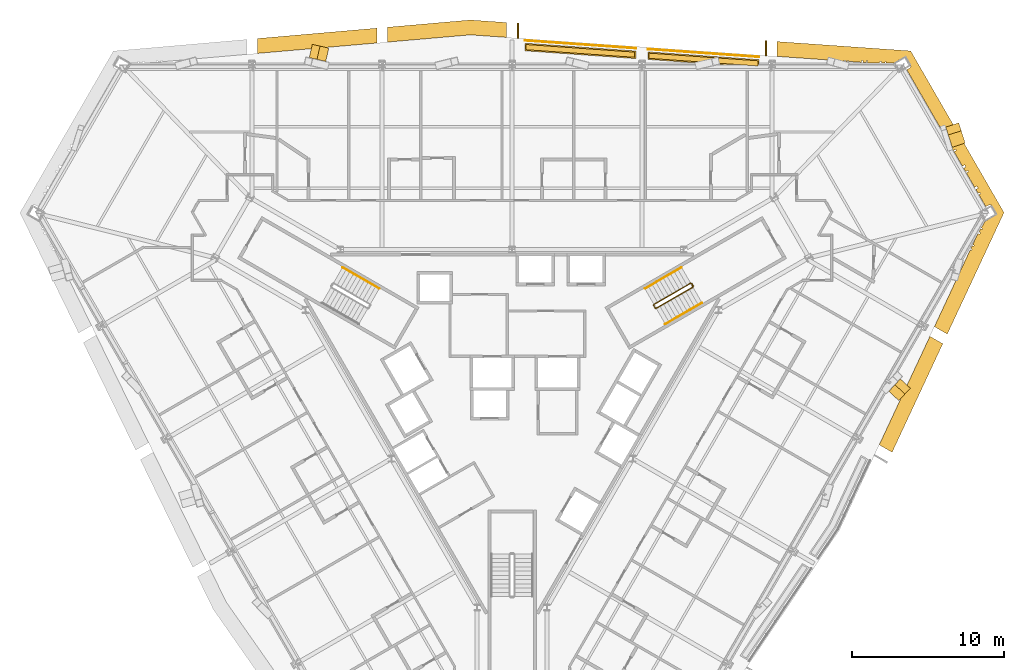
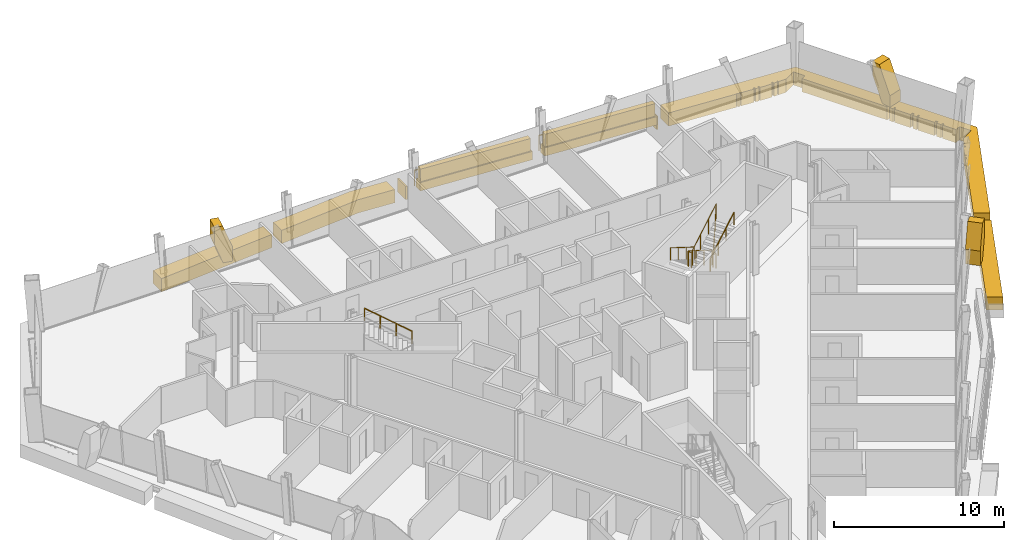
# One storey, part 15 of 15: 13 coverings, 6 railings.
"""IFC4 building model written with IfcOpenShell, lengths in metres."""

from ifc_helpers import new_model, si_unit, direction, frame, origin, origin_2d, place, context, subcontext, project, spatial, polyline, circle, outline, extrude, material, layer, layer_set, type_object, element, save


model = new_model("IFC4")

# Units and contexts
model_context = context("Model", 3, precision=1e-05, world=origin(), true_north=direction((0.0, 1.0)))
body_context = subcontext(model_context, "Body", "Model", "MODEL_VIEW")
ifc_project = project(units=[si_unit("LENGTHUNIT", "METRE"), si_unit("AREAUNIT", "SQUARE_METRE"), si_unit("VOLUMEUNIT", "CUBIC_METRE"), si_unit("PLANEANGLEUNIT", "RADIAN"), si_unit("MASSUNIT", "GRAM", prefix="KILO")], contexts=[model_context])

# Site, building, storey
site_placement = place(None, origin())
site = spatial("IfcSite", under=ifc_project, at=site_placement, CompositionType="ELEMENT")
building_placement = place(site_placement, origin())
building = spatial("IfcBuilding", under=site, at=building_placement, Name="Verrane Prism Tower", CompositionType="ELEMENT")
storey_placement = place(building_placement, frame((0.0, 0.0, 72.800048828125)))
storey = spatial("IfcBuildingStorey", under=building, at=storey_placement, Name="L16", CompositionType="ELEMENT", Elevation=72.800048828125)

# Coverings
ifc_material_1 = material(Name="Planting medium in stone kerb", Category="masonry")
covering_type_1 = type_object("IfcCoveringType", Name="Planter bed 600", PredefinedType="USERDEFINED", material=ifc_material_1)
covering_1_placement = place(storey_placement, origin())
element("IfcCovering", 1, at=covering_1_placement, inside=storey, type_object=covering_type_1, Name="Loggia planter N2 L16", ObjectType="PLANTER", PredefinedType="USERDEFINED", context=body_context, shape_type="SweptSolid", body=[
    extrude(outline(polyline([(16.2978515625, 21.732177734375), (8.97412109375, 22.246826171875), (8.97412109375, 21.746826171875), (16.2978515625, 21.232177734375), (16.2978515625, 21.732177734375)])), origin(), (0.0, 0.0, 1.0), 0.599853515625),
])
covering_2_placement = place(storey_placement, origin())
element("IfcCovering", 2, at=covering_2_placement, inside=storey, type_object=covering_type_1, Name="Loggia planter N3 L16", ObjectType="PLANTER", PredefinedType="USERDEFINED", context=body_context, shape_type="SweptSolid", body=[
    extrude(outline(polyline([(8.174072265625, 22.302978515625), (0.85009765625, 22.817626953125), (0.85009765625, 22.317626953125), (8.174072265625, 21.802978515625), (8.174072265625, 22.302978515625)])), origin(), (0.0, 0.0, 1.0), 0.599853515625),
])
ifc_material_2 = material(Name="Planted shrubs and grasses", Category="other")
covering_type_2 = type_object("IfcCoveringType", Name="Planting mass 1000", PredefinedType="USERDEFINED", material=ifc_material_2)
covering_3_placement = place(storey_placement, frame((0.0, 0.0, 0.599853515625)))
element("IfcCovering", 3, at=covering_3_placement, inside=storey, type_object=covering_type_2, Name="Loggia planting N2 L16", ObjectType="PLANTING", PredefinedType="USERDEFINED", context=body_context, shape_type="SweptSolid", body=[
    extrude(outline(polyline([(9.053955078125, 22.160888671875), (9.053955078125, 21.8212890625), (16.218017578125, 21.318115234375), (16.218017578125, 21.65771484375), (9.053955078125, 22.160888671875)])), origin(), (0.0, 0.0, 1.0), 0.900146484375),
])
covering_4_placement = place(storey_placement, frame((0.0, 0.0, 0.599853515625)))
element("IfcCovering", 4, at=covering_4_placement, inside=storey, type_object=covering_type_2, Name="Loggia planting N3 L16", ObjectType="PLANTING", PredefinedType="USERDEFINED", context=body_context, shape_type="SweptSolid", body=[
    extrude(outline(polyline([(0.929931640625, 22.731689453125), (0.929931640625, 22.39208984375), (8.093994140625, 21.888916015625), (8.093994140625, 22.228515625), (0.929931640625, 22.731689453125)])), origin(), (0.0, 0.0, 1.0), 0.900146484375),
])

# Railings
ifc_material_3 = material(Name="Steel A36 rail and posts, no infill", Category="steel")
railing_type_1 = type_object("IfcRailingType", Name="Stair guard 1100 steel rail and posts", PredefinedType="GUARDRAIL", material=ifc_material_3)
railing_1_placement = place(storey_placement, frame((11.78955078125, 6.97998046875, 0.16357421875)))
element("IfcRailing", 5, at=railing_1_placement, inside=storey, type_object=railing_type_1, Name="Stair 1 guard", PredefinedType="GUARDRAIL", context=body_context, shape_type="SweptSolid", body=[
    extrude(circle(Radius=0.02392578125, at=origin_2d()), frame((0.0, 0.0, 1.076171875), z_axis=(-0.747665513933, -0.431721881032, 0.504591415616), x_axis=(0.500049511043, -0.865996816683, 0.0)), (0.0, 0.0, 1.0), 3.2431640625),
    extrude(circle(Radius=0.02392578125, at=origin_2d()), frame((-2.4248046875, -1.400146484375, 2.71240234375), z_axis=(-0.259601060869, -0.965715946433, 0.0), x_axis=(0.965715946433, -0.259601060869, 0.0)), (0.0, 0.0, 1.0), 0.070556640625),
    extrude(circle(Radius=0.02392578125, at=origin_2d()), frame((-2.443115234375, -1.46826171875, 2.71240234375), z_axis=(0.499158860599, -0.866510491504, 0.0), x_axis=(0.866510491504, 0.499158860599, 0.0)), (0.0, 0.0, 1.0), 0.199951171875),
    extrude(circle(Radius=0.02392578125, at=origin_2d()), frame((-2.34326171875, -1.6416015625, 2.71240234375), z_axis=(0.383552647116, -0.102737316192, 0.917786691313), x_axis=(0.258736085224, 0.965948051503, 0.0)), (0.0, 0.0, 1.0), 0.17822265625),
    extrude(circle(Radius=0.02392578125, at=origin_2d()), frame((-2.27490234375, -1.659912109375, 2.8759765625), z_axis=(0.747693913401, 0.431738279637, 0.504535300807), x_axis=(-0.500049511043, 0.865996816683, 0.0)), (0.0, 0.0, 1.0), 3.2431640625),
    extrude(circle(Radius=0.02392578125, at=origin_2d()), frame((0.14990234375, -0.259765625, 4.51220703125), z_axis=(-0.022595193939, 0.066906128161, -0.9975033971), x_axis=(-0.947430582667, -0.3199613899, 0.0)), (0.0, 0.0, 1.0), 3.60888671875),
    extrude(circle(Radius=0.02392578125, at=origin_2d()), frame((0.068359375, -0.018310546875, 0.91259765625), z_axis=(0.499158860599, -0.866510491504, 0.0), x_axis=(0.866510491504, 0.499158860599, 0.0)), (0.0, 0.0, 1.0), 0.199951171875),
    extrude(circle(Radius=0.02099609375, at=origin_2d()), origin(), (0.0, 0.0, 1.0), 1.052001953125),
    extrude(circle(Radius=0.02099609375, at=origin_2d()), frame((-0.808349609375, -0.466796875, 0.54541015625)), (0.0, 0.0, 1.0), 1.052001953125),
    extrude(circle(Radius=0.02099609375, at=origin_2d()), frame((-1.616455078125, -0.933349609375, 1.091064453125)), (0.0, 0.0, 1.0), 1.052001953125),
    extrude(circle(Radius=0.02099609375, at=origin_2d()), frame((-2.4248046875, -1.400146484375, 1.636474609375)), (0.0, 0.0, 1.0), 1.052001953125),
    extrude(circle(Radius=0.02099609375, at=origin_2d()), frame((-2.443115234375, -1.46826171875, 1.636474609375)), (0.0, 0.0, 1.0), 1.052001953125),
    extrude(circle(Radius=0.02099609375, at=origin_2d()), frame((-2.34326171875, -1.6416015625, 1.636474609375)), (0.0, 0.0, 1.0), 1.052001953125),
    extrude(circle(Radius=0.02099609375, at=origin_2d()), frame((-2.27490234375, -1.659912109375, 1.800048828125)), (0.0, 0.0, 1.0), 1.052001953125),
    extrude(circle(Radius=0.02099609375, at=origin_2d()), frame((-1.466552734375, -1.193115234375, 2.345458984375)), (0.0, 0.0, 1.0), 1.052001953125),
    extrude(circle(Radius=0.02099609375, at=origin_2d()), frame((-0.658447265625, -0.7265625, 2.890869140625)), (0.0, 0.0, 1.0), 1.052001953125),
    extrude(circle(Radius=0.02099609375, at=origin_2d()), frame((0.14990234375, -0.259765625, 3.436279296875)), (0.0, 0.0, 1.0), 1.052001953125),
    extrude(circle(Radius=0.02099609375, at=origin_2d()), frame((0.12939453125, -0.199462890625, 2.536376953125)), (0.0, 0.0, 1.0), 1.052001953125),
    extrude(circle(Radius=0.02099609375, at=origin_2d()), frame((0.109130859375, -0.13916015625, 1.63623046875)), (0.0, 0.0, 1.0), 1.052001953125),
    extrude(circle(Radius=0.02099609375, at=origin_2d()), frame((0.0888671875, -0.07861328125, 0.736328125)), (0.0, 0.0, 1.0), 1.052001953125),
    extrude(circle(Radius=0.02099609375, at=origin_2d()), frame((0.068359375, -0.018310546875, -0.16357421875)), (0.0, 0.0, 1.0), 1.052001953125),
    extrude(circle(Radius=0.02099609375, at=origin_2d()), frame((0.168212890625, -0.191650390625, -0.16357421875)), (0.0, 0.0, 1.0), 1.052001953125),
])
ifc_material_4 = material(Name="Steel A36 tube", Category="steel")
railing_type_2 = type_object("IfcRailingType", Name="Stair handrail 900 steel tube", PredefinedType="HANDRAIL", material=ifc_material_4)
railing_2_placement = place(storey_placement, frame((11.189453125, 8.01904296875, 0.16357421875)))
element("IfcRailing", 6, at=railing_2_placement, inside=storey, type_object=railing_type_2, Name="Stair 1 handrail", PredefinedType="HANDRAIL", context=body_context, shape_type="SweptSolid", body=[
    extrude(circle(Radius=0.02392578125, at=origin_2d()), frame((0.0, 0.0, 0.8759765625), z_axis=(-0.747689811644, -0.431660630283, 0.504607813879), x_axis=(0.49998411664, -0.866034573852, 0.0)), (0.0, 0.0, 1.0), 3.2431640625),
    extrude(circle(Radius=0.02099609375, at=origin_2d()), origin(), (0.0, 0.0, 1.0), 0.851806640625),
    extrude(circle(Radius=0.02099609375, at=origin_2d()), frame((-0.808349609375, -0.466552734375, 0.54541015625)), (0.0, 0.0, 1.0), 0.851806640625),
    extrude(circle(Radius=0.02099609375, at=origin_2d()), frame((-1.616455078125, -0.933349609375, 1.091064453125)), (0.0, 0.0, 1.0), 0.851806640625),
    extrude(circle(Radius=0.02099609375, at=origin_2d()), frame((-2.4248046875, -1.39990234375, 1.636474609375)), (0.0, 0.0, 1.0), 0.851806640625),
])
railing_3_placement = place(storey_placement, frame((10.11474609375, 4.28076171875, 1.963623046875)))
element("IfcRailing", 7, at=railing_3_placement, inside=storey, type_object=railing_type_2, Name="Stair 1 handrail", PredefinedType="HANDRAIL", context=body_context, shape_type="SweptSolid", body=[
    extrude(circle(Radius=0.02392578125, at=origin_2d()), frame((0.0, 0.0, 0.8759765625), z_axis=(0.747693913401, 0.431738279637, 0.504535300807), x_axis=(-0.500049511043, 0.865996816683, 0.0)), (0.0, 0.0, 1.0), 3.2431640625),
    extrude(circle(Radius=0.02099609375, at=origin_2d()), origin(), (0.0, 0.0, 1.0), 0.851806640625),
    extrude(circle(Radius=0.02099609375, at=origin_2d()), frame((0.808349609375, 0.466796875, 0.54541015625)), (0.0, 0.0, 1.0), 0.851806640625),
    extrude(circle(Radius=0.02099609375, at=origin_2d()), frame((1.616455078125, 0.933349609375, 1.0908203125)), (0.0, 0.0, 1.0), 0.851806640625),
    extrude(circle(Radius=0.02099609375, at=origin_2d()), frame((2.4248046875, 1.400146484375, 1.63623046875)), (0.0, 0.0, 1.0), 0.851806640625),
])
railing_4_placement = place(storey_placement, frame((-8.7646484375, 6.619140625, 1.963623046875)))
element("IfcRailing", 8, at=railing_4_placement, inside=storey, type_object=railing_type_2, Name="Stair 2 handrail", PredefinedType="HANDRAIL", context=body_context, shape_type="SweptSolid", body=[
    extrude(circle(Radius=0.02392578125, at=origin_2d()), frame((0.0, 0.0, 0.8759765625), z_axis=(-0.74771821388, 0.431677027627, 0.504551698492), x_axis=(-0.49998411664, -0.866034573852, 0.0)), (0.0, 0.0, 1.0), 3.242919921875),
    extrude(circle(Radius=0.02099609375, at=origin_2d()), origin(), (0.0, 0.0, 1.0), 0.851806640625),
    extrude(circle(Radius=0.02099609375, at=origin_2d()), frame((-0.808349609375, 0.466552734375, 0.54541015625)), (0.0, 0.0, 1.0), 0.851806640625),
    extrude(circle(Radius=0.02099609375, at=origin_2d()), frame((-1.616455078125, 0.933349609375, 1.0908203125)), (0.0, 0.0, 1.0), 0.851806640625),
    extrude(circle(Radius=0.02099609375, at=origin_2d()), frame((-2.4248046875, 1.39990234375, 1.63623046875)), (0.0, 0.0, 1.0), 0.851806640625),
])

# Coverings
ifc_material_5 = material(Name="Warm limestone cladding", Category="masonry")
ifc_layer_1 = layer(ifc_material_5, 0.89990234375)
ifc_layer_set_1 = layer_set([ifc_layer_1], Name="Stone brace fin 900")
covering_type_3 = type_object("IfcCoveringType", Name="Stone brace fin 900", PredefinedType="CLADDING", material=ifc_layer_set_1)
covering_5_placement = place(storey_placement, frame((-12.1962890625, 22.05615234375, 0.0), z_axis=(0.0, 0.0, 1.0), x_axis=(-0.974641769494, 0.223770912223, 0.0)))
element("IfcCovering", 9, at=covering_5_placement, inside=storey, type_object=covering_type_3, Name="Stone brace fin N5 L16", PredefinedType="CLADDING", context=body_context, shape_type="SweptSolid", body=[
    extrude(outline(polyline([(1.114013671875, 2.64990234375), (0.59130859375, 2.64990234375), (0.0, 1.05322265625), (0.0, 0.0), (0.569580078125, 0.0), (1.114013671875, 1.4697265625), (1.114013671875, 2.64990234375)])), frame((0.0, 0.449951171875, 0.0), z_axis=(0.0, -1.0, 0.0), x_axis=(1.0, 0.0, 0.0)), (0.0, 0.0, 1.0), 0.89990234375),
])
covering_6_placement = place(storey_placement, frame((25.197265625, -0.462890625, 0.0), z_axis=(0.0, 0.0, 1.0), x_axis=(0.681616490164, 0.731709614763, 0.0)))
element("IfcCovering", 10, at=covering_6_placement, inside=storey, type_object=covering_type_3, Name="Stone brace fin SE5 L16", PredefinedType="CLADDING", context=body_context, shape_type="SweptSolid", body=[
    extrude(outline(polyline([(1.1162109375, 2.64990234375), (0.593505859375, 2.64990234375), (0.0, 1.05078125), (0.0, 0.0), (0.570068359375, 0.0), (1.1162109375, 1.47216796875), (1.1162109375, 2.64990234375)])), frame((0.0, 0.449951171875, 0.0), z_axis=(0.0, -1.0, 0.0), x_axis=(1.0, 0.0, 0.0)), (0.0, 0.0, 1.0), 0.89990234375),
])
covering_7_placement = place(storey_placement, frame((29.47900390625, 16.0888671875, 0.0), z_axis=(0.0, 0.0, 1.0), x_axis=(-0.30231735875, 0.953207330332, 0.0)))
element("IfcCovering", 11, at=covering_7_placement, inside=storey, type_object=covering_type_3, Name="Stone brace fin NE1 L16", PredefinedType="CLADDING", context=body_context, shape_type="SweptSolid", body=[
    extrude(outline(polyline([(1.39892578125, 2.64990234375), (0.85205078125, 2.64990234375), (0.0, 0.820556640625), (0.0, 0.0), (0.610595703125, 0.0), (1.39892578125, 1.692138671875), (1.39892578125, 2.64990234375)])), frame((0.0, 0.449951171875, 0.0), z_axis=(0.0, -1.0, 0.0), x_axis=(1.0, 0.0, 0.0)), (0.0, 0.0, 1.0), 0.89990234375),
])
ifc_material_6 = material(Name="Warm limestone cladding", Category="masonry")
ifc_layer_2 = layer(ifc_material_6, 0.449951171875)
ifc_layer_set_2 = layer_set([ifc_layer_2], Name="Stone spandrel band 450")
covering_type_4 = type_object("IfcCoveringType", Name="Stone spandrel band 450", PredefinedType="CLADDING", material=ifc_layer_set_2)
covering_8_placement = place(storey_placement, frame((0.0, 0.0, -0.949951171875)))
element("IfcCovering", 12, at=covering_8_placement, inside=storey, type_object=covering_type_4, Name="Stone spandrel band L16 part 2", PredefinedType="CLADDING", context=body_context, shape_type="SweptSolid", body=[
    extrude(outline(polyline([(17.497802734375, 21.94775390625), (21.9150390625, 21.637451171875), (21.9287109375, 21.68798828125), (22.0341796875, 21.65966796875), (22.02587890625, 21.629638671875), (22.147705078125, 21.62109375), (22.147705078125, 21.669921875), (22.22119140625, 21.669921875), (22.22119140625, 21.615966796875), (23.05419921875, 21.557373046875), (23.05419921875, 21.669921875), (23.1708984375, 21.669921875), (23.1708984375, 21.54931640625), (23.378173828125, 21.53466796875), (23.385009765625, 21.669677734375), (23.456787109375, 21.666015625), (23.44970703125, 21.529541015625), (23.823974609375, 21.50341796875), (24.264892578125, 21.50341796875), (24.27099609375, 21.62451171875), (24.385009765625, 21.618896484375), (24.379150390625, 21.50341796875), (24.6083984375, 21.50341796875), (24.6376953125, 21.608154296875), (24.70263671875, 21.590087890625), (24.678466796875, 21.50341796875), (25.19091796875, 21.50341796875), (25.94580078125, 21.939208984375), (26.32568359375, 21.281005859375), (26.306640625, 21.27001953125), (26.259521484375, 21.186767578125), (26.05126953125, 21.06640625), (28.928466796875, 16.082763671875), (29.1181640625, 16.142822265625), (29.166748046875, 15.98974609375), (29.0107421875, 15.940185546875), (29.130859375, 15.732177734375), (29.275390625, 15.815673828125), (29.322021484375, 15.73486328125), (29.177490234375, 15.651611328125), (29.7265625, 14.700439453125), (29.87109375, 14.7841796875), (29.948486328125, 14.650146484375), (29.8037109375, 14.566650390625), (29.9375, 14.3349609375), (30.08251953125, 14.418701171875), (30.12890625, 14.337890625), (29.984130859375, 14.254150390625), (30.533203125, 13.30322265625), (30.67822265625, 13.386962890625), (30.755615234375, 13.253173828125), (30.610595703125, 13.169189453125), (30.757080078125, 12.915283203125), (30.91455078125, 12.9521484375), (30.934326171875, 12.867431640625), (30.802490234375, 12.836669921875), (31.27001953125, 12.027099609375), (31.4794921875, 12.148193359375), (31.57666015625, 12.148193359375), (31.595703125, 12.1591796875), (31.9755859375, 11.5009765625), (31.217041015625, 11.06298828125), (30.96240234375, 10.62158203125), (31.05029296875, 10.599365234375), (31.03369140625, 10.534423828125), (30.927490234375, 10.561279296875), (30.812744140625, 10.362548828125), (30.91650390625, 10.309326171875), (30.864501953125, 10.2080078125), (30.755615234375, 10.263671875), (30.71728515625, 10.197265625), (30.40478515625, 9.527587890625), (30.4931640625, 9.482421875), (30.460693359375, 9.41845703125), (30.374267578125, 9.462646484375), (30.285400390625, 9.272216796875), (30.353515625, 9.232666015625), (30.29541015625, 9.1318359375), (30.236083984375, 9.166259765625), (27.875732421875, 4.110595703125), (28.72607421875, 3.619873046875), (32.4697265625, 11.638671875), (26.30908203125, 22.309326171875), (17.497802734375, 22.92822265625), (17.497802734375, 21.94775390625)])), origin(), (0.0, 0.0, 1.0), 0.949951171875),
])
covering_9_placement = place(storey_placement, frame((0.0, 0.0, -0.949951171875)))
element("IfcCovering", 13, at=covering_9_placement, inside=storey, type_object=covering_type_4, Name="Stone spandrel band L16 part 9", PredefinedType="CLADDING", context=body_context, shape_type="SweptSolid", body=[
    extrude(outline(polyline([(27.57861328125, 3.47412109375), (24.235107421875, -3.6875), (25.08544921875, -4.178466796875), (28.4287109375, 2.983154296875), (27.57861328125, 3.47412109375)])), origin(), (0.0, 0.0, 1.0), 0.949951171875),
])
covering_10_placement = place(storey_placement, frame((0.0, 0.0, -0.949951171875)))
element("IfcCovering", 14, at=covering_10_placement, inside=storey, type_object=covering_type_4, Name="Stone spandrel band L16 part 10", PredefinedType="CLADDING", context=body_context, shape_type="SweptSolid", body=[
    extrude(outline(polyline([(-8.22412109375, 22.89306640625), (-2.74365234375, 23.3701171875), (-0.35009765625, 23.201904296875), (-0.35009765625, 24.182373046875), (-2.751953125, 24.35107421875), (-8.22412109375, 23.874755859375), (-8.22412109375, 22.89306640625)])), origin(), (0.0, 0.0, 1.0), 0.949951171875),
])
covering_11_placement = place(storey_placement, frame((0.0, 0.0, -0.949951171875)))
element("IfcCovering", 15, at=covering_11_placement, inside=storey, type_object=covering_type_4, Name="Stone spandrel band L16 part 11", PredefinedType="CLADDING", context=body_context, shape_type="SweptSolid", body=[
    extrude(outline(polyline([(-8.924072265625, 23.81396484375), (-16.7978515625, 23.12841796875), (-16.7978515625, 22.146728515625), (-8.924072265625, 22.83203125), (-8.924072265625, 23.81396484375)])), origin(), (0.0, 0.0, 1.0), 0.949951171875),
])
covering_12_placement = place(storey_placement, frame((0.0, 0.0, -0.949951171875)))
element("IfcCovering", 16, at=covering_12_placement, inside=storey, type_object=covering_type_4, Name="Stone spandrel band L16 part 14", PredefinedType="CLADDING", context=body_context, shape_type="SweptSolid", body=[
    extrude(outline(polyline([(16.7978515625, 22.9775390625), (16.697998046875, 22.984619140625), (16.697998046875, 22.00390625), (16.7978515625, 21.9970703125), (16.7978515625, 22.9775390625)])), origin(), (0.0, 0.0, 1.0), 0.949951171875),
])
covering_13_placement = place(storey_placement, frame((0.0, 0.0, -0.949951171875)))
element("IfcCovering", 17, at=covering_13_placement, inside=storey, type_object=covering_type_4, Name="Stone spandrel band L16 part 15", PredefinedType="CLADDING", context=body_context, shape_type="SweptSolid", body=[
    extrude(outline(polyline([(0.449951171875, 23.1455078125), (0.449951171875, 24.126220703125), (0.35009765625, 24.133056640625), (0.35009765625, 23.152587890625), (0.449951171875, 23.1455078125)])), origin(), (0.0, 0.0, 1.0), 0.949951171875),
])

# Railings
ifc_material_7 = material(Name="Stainless steel and laminated glass", Category="steel")
railing_type_3 = type_object("IfcRailingType", Name="Terrace guard 1100", PredefinedType="GUARDRAIL", material=ifc_material_7)
railing_5_placement = place(storey_placement, frame((16.2978515625, 21.912109375, 0.0)))
element("IfcRailing", 18, at=railing_5_placement, inside=storey, type_object=railing_type_3, Name="Loggia guard N2 L16", PredefinedType="GUARDRAIL", context=body_context, shape_type="SweptSolid", body=[
    extrude(circle(Radius=0.02392578125, at=origin_2d()), frame((0.0, 0.0, 1.076171875), z_axis=(-0.997540075292, 0.07009848919, 0.0), x_axis=(-0.07009848919, -0.997540075292, 0.0)), (0.0, 0.0, 1.0), 7.341796875),
    extrude(circle(Radius=0.02099609375, at=origin_2d()), origin(), (0.0, 0.0, 1.0), 1.052001953125),
    extrude(circle(Radius=0.02099609375, at=origin_2d()), frame((-1.046142578125, 0.073486328125, 0.0)), (0.0, 0.0, 1.0), 1.052001953125),
    extrude(circle(Radius=0.02099609375, at=origin_2d()), frame((-2.092529296875, 0.14697265625, 0.0)), (0.0, 0.0, 1.0), 1.052001953125),
    extrude(circle(Radius=0.02099609375, at=origin_2d()), frame((-3.138671875, 0.220458984375, 0.0)), (0.0, 0.0, 1.0), 1.052001953125),
    extrude(circle(Radius=0.02099609375, at=origin_2d()), frame((-4.18505859375, 0.294189453125, 0.0)), (0.0, 0.0, 1.0), 1.052001953125),
    extrude(circle(Radius=0.02099609375, at=origin_2d()), frame((-5.231201171875, 0.36767578125, 0.0)), (0.0, 0.0, 1.0), 1.052001953125),
    extrude(circle(Radius=0.02099609375, at=origin_2d()), frame((-6.277587890625, 0.441162109375, 0.0)), (0.0, 0.0, 1.0), 1.052001953125),
    extrude(circle(Radius=0.02099609375, at=origin_2d()), frame((-7.32373046875, 0.5146484375, 0.0)), (0.0, 0.0, 1.0), 1.052001953125),
])
railing_6_placement = place(storey_placement, frame((8.174072265625, 22.48291015625, 0.0)))
element("IfcRailing", 19, at=railing_6_placement, inside=storey, type_object=railing_type_3, Name="Loggia guard N3 L16", PredefinedType="GUARDRAIL", context=body_context, shape_type="SweptSolid", body=[
    extrude(circle(Radius=0.02392578125, at=origin_2d()), frame((0.0, 0.0, 1.076171875), z_axis=(-0.997540238685, 0.070096163977, 0.0), x_axis=(-0.070096163977, -0.997540238685, 0.0)), (0.0, 0.0, 1.0), 7.342041015625),
    extrude(circle(Radius=0.02099609375, at=origin_2d()), origin(), (0.0, 0.0, 1.0), 1.052001953125),
    extrude(circle(Radius=0.02099609375, at=origin_2d()), frame((-1.04638671875, 0.073486328125, 0.0)), (0.0, 0.0, 1.0), 1.052001953125),
    extrude(circle(Radius=0.02099609375, at=origin_2d()), frame((-2.092529296875, 0.14697265625, 0.0)), (0.0, 0.0, 1.0), 1.052001953125),
    extrude(circle(Radius=0.02099609375, at=origin_2d()), frame((-3.138916015625, 0.220458984375, 0.0)), (0.0, 0.0, 1.0), 1.052001953125),
    extrude(circle(Radius=0.02099609375, at=origin_2d()), frame((-4.18505859375, 0.294189453125, 0.0)), (0.0, 0.0, 1.0), 1.052001953125),
    extrude(circle(Radius=0.02099609375, at=origin_2d()), frame((-5.2314453125, 0.36767578125, 0.0)), (0.0, 0.0, 1.0), 1.052001953125),
    extrude(circle(Radius=0.02099609375, at=origin_2d()), frame((-6.277587890625, 0.441162109375, 0.0)), (0.0, 0.0, 1.0), 1.052001953125),
    extrude(circle(Radius=0.02099609375, at=origin_2d()), frame((-7.323974609375, 0.5146484375, 0.0)), (0.0, 0.0, 1.0), 1.052001953125),
])

save(model, "model.ifc")
